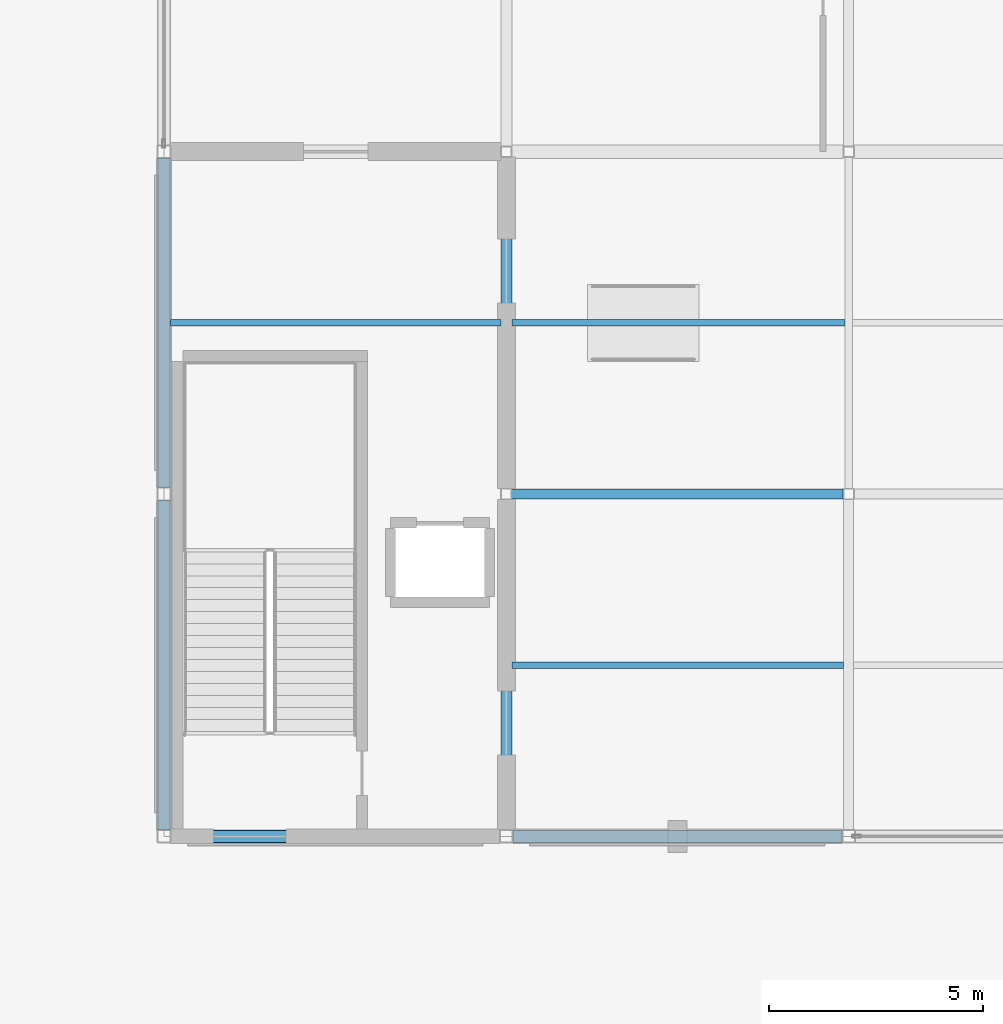
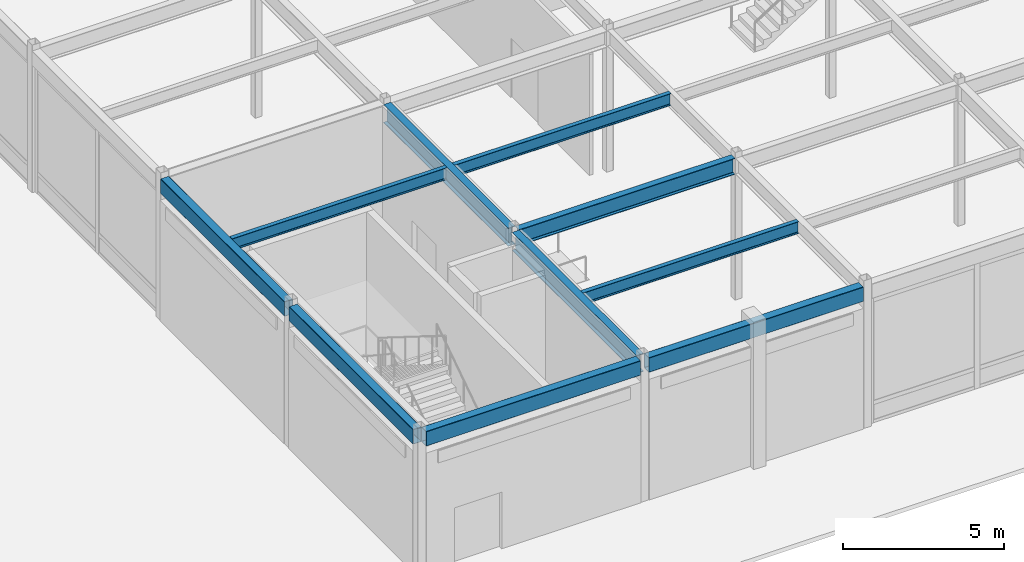
# One storey, part 32 of 128: 10 beams.
"""IFC4 building model written with IfcOpenShell, lengths in metres."""

from ifc_helpers import new_model, si_unit, direction, frame, origin, origin_2d, place, context, subcontext, project, spatial, hollow_rectangle, i_section, extrude, material, material_profile, profile_set, type_object, element, save


model = new_model("IFC4")

# Units and contexts
model_context = context("Model", 3, precision=1e-05, world=origin(), true_north=direction((0.0, 1.0)))
body_context = subcontext(model_context, "Body", "Model", "MODEL_VIEW")
ifc_project = project(units=[si_unit("LENGTHUNIT", "METRE"), si_unit("AREAUNIT", "SQUARE_METRE"), si_unit("VOLUMEUNIT", "CUBIC_METRE"), si_unit("PLANEANGLEUNIT", "RADIAN"), si_unit("MASSUNIT", "GRAM", prefix="KILO")], contexts=[model_context])

# Site, building, storey
site_placement = place(None, origin())
site = spatial("IfcSite", under=ifc_project, at=site_placement, CompositionType="ELEMENT")
building_placement = place(site_placement, origin())
building = spatial("IfcBuilding", under=site, at=building_placement, Name="Solmirada Galleria", CompositionType="ELEMENT")
storey_placement = place(building_placement, origin())
storey = spatial("IfcBuildingStorey", under=building, at=storey_placement, Name="L00", CompositionType="ELEMENT", Elevation=0.0)

# Beams
ifc_material_1 = material(Name="Steel S355 / ASTM A992 Grade 50", Category="steel")
ifc_material_profile_1 = material_profile(ifc_material_1, i_section(OverallWidth=0.22900390625, OverallDepth=0.612060546875, WebThickness=0.011962890625, FlangeThickness=0.01953125, FilletRadius=0.014892578125, at=origin_2d()), Name="W24X84")
ifc_profile_set_1 = profile_set([ifc_material_profile_1], Name="Steel S355 / ASTM A992 Grade 50")
beam_type_1 = type_object("IfcBeamType", Name="BM-GIRD-W24B", PredefinedType="BEAM", material=ifc_profile_set_1)
beam_1_placement = place(storey_placement, frame((48.126953125, 8.0, 5.073974609375), z_axis=(1.0, 0.0, 0.0), x_axis=(0.0, 1.0, 0.0)))
element("IfcBeam", 1, at=beam_1_placement, inside=storey, type_object=beam_type_1, Name="Primary beam L01 X(48..56, 8)", PredefinedType="BEAM", context=body_context, shape_type="SweptSolid", body=[
    extrude(i_section(OverallWidth=0.22900390625, OverallDepth=0.612060546875, WebThickness=0.011962890625, FlangeThickness=0.01953125, FilletRadius=0.014892578125, at=origin_2d()), origin(), (0.0, 0.0, 1.0), 7.74609375),
])
ifc_material_profile_2 = material_profile(ifc_material_1, i_section(OverallWidth=0.256103515625, OverallDepth=0.693115234375, WebThickness=0.014404296875, FlangeThickness=0.023681640625, FilletRadius=0.01806640625, at=origin_2d()), Name="W27X114")
ifc_profile_set_2 = profile_set([ifc_material_profile_2], Name="Steel S355 / ASTM A992 Grade 50")
beam_type_2 = type_object("IfcBeamType", Name="BM-GIRD-W27A", PredefinedType="BEAM", material=ifc_profile_set_2)
beam_2_placement = place(storey_placement, frame((48.0, 0.152587890625, 5.033447265625), z_axis=(0.0, 1.0, 0.0), x_axis=(-1.0, 0.0, 0.0)))
element("IfcBeam", 2, at=beam_2_placement, inside=storey, type_object=beam_type_2, Name="Primary girder L01 Y(48, 0..8)", PredefinedType="BEAM", context=body_context, shape_type="SweptSolid", body=[
    extrude(i_section(OverallWidth=0.256103515625, OverallDepth=0.693115234375, WebThickness=0.014404296875, FlangeThickness=0.023681640625, FilletRadius=0.01806640625, at=origin_2d()), origin(), (0.0, 0.0, 1.0), 7.720458984375),
])
beam_3_placement = place(storey_placement, frame((48.0, 8.126953125, 5.033447265625), z_axis=(0.0, 1.0, 0.0), x_axis=(-1.0, 0.0, 0.0)))
element("IfcBeam", 3, at=beam_3_placement, inside=storey, type_object=beam_type_2, Name="Primary girder L01 Y(48, 8..16)", PredefinedType="BEAM", context=body_context, shape_type="SweptSolid", body=[
    extrude(i_section(OverallWidth=0.256103515625, OverallDepth=0.693115234375, WebThickness=0.014404296875, FlangeThickness=0.023681640625, FilletRadius=0.01806640625, at=origin_2d()), origin(), (0.0, 0.0, 1.0), 7.74609375),
])
ifc_material_profile_3 = material_profile(ifc_material_1, i_section(OverallWidth=0.153076171875, OverallDepth=0.455078125, WebThickness=0.008056640625, FlangeThickness=0.01318359375, FilletRadius=0.011962890625, at=origin_2d()), Name="W18X40")
ifc_profile_set_3 = profile_set([ifc_material_profile_3], Name="Steel S355 / ASTM A992 Grade 50")
beam_type_3 = type_object("IfcBeamType", Name="BM-JST-W18A", PredefinedType="JOIST", material=ifc_profile_set_3)
beam_4_placement = place(storey_placement, frame((40.152587890625, 12.0, 5.152587890625), z_axis=(1.0, 0.0, 0.0), x_axis=(0.0, 1.0, 0.0)))
element("IfcBeam", 4, at=beam_4_placement, inside=storey, type_object=beam_type_3, Name="Composite floor joist L01 (40..48, 12.0)", PredefinedType="JOIST", context=body_context, shape_type="SweptSolid", body=[
    extrude(i_section(OverallWidth=0.153076171875, OverallDepth=0.455078125, WebThickness=0.008056640625, FlangeThickness=0.01318359375, FilletRadius=0.011962890625, at=origin_2d()), origin(), (0.0, 0.0, 1.0), 7.719482421875),
])
beam_5_placement = place(storey_placement, frame((48.1279296875, 4.0, 5.152587890625), z_axis=(1.0, 0.0, 0.0), x_axis=(0.0, 1.0, 0.0)))
element("IfcBeam", 5, at=beam_5_placement, inside=storey, type_object=beam_type_3, Name="Composite floor joist L01 (48..56, 4.0)", PredefinedType="JOIST", context=body_context, shape_type="SweptSolid", body=[
    extrude(i_section(OverallWidth=0.153076171875, OverallDepth=0.455078125, WebThickness=0.008056640625, FlangeThickness=0.01318359375, FilletRadius=0.011962890625, at=origin_2d()), origin(), (0.0, 0.0, 1.0), 7.758056640625),
])
beam_6_placement = place(storey_placement, frame((48.1279296875, 12.0, 5.152587890625), z_axis=(1.0, 0.0, 0.0), x_axis=(0.0, 1.0, 0.0)))
element("IfcBeam", 6, at=beam_6_placement, inside=storey, type_object=beam_type_3, Name="Composite floor joist L01 (48..56, 12.0)", PredefinedType="JOIST", context=body_context, shape_type="SweptSolid", body=[
    extrude(i_section(OverallWidth=0.153076171875, OverallDepth=0.455078125, WebThickness=0.008056640625, FlangeThickness=0.01318359375, FilletRadius=0.011962890625, at=origin_2d()), origin(), (0.0, 0.0, 1.0), 7.782958984375),
])
ifc_material_2 = material(Name="Steel S355 / ASTM A500 Grade C", Category="steel")
ifc_material_profile_4 = material_profile(ifc_material_2, hollow_rectangle(XDim=0.304931640625, YDim=0.55908203125, WallThickness=0.01171875, InnerFilletRadius=0.01171875, OuterFilletRadius=0.023681640625, at=origin_2d()), Name="HSS22X12X1/2")
ifc_profile_set_4 = profile_set([ifc_material_profile_4], Name="Steel S355 / ASTM A500 Grade C")
beam_type_4 = type_object("IfcBeamType", Name="BM-SPAND-W21", PredefinedType="SPANDREL", material=ifc_profile_set_4)
for number, where, z_axis, x_axis, name in (
    (7, (40.152587890625, 0.0, 5.1005859375), (1.0, 0.0, 0.0), (0.0, 1.0, 0.0), "Primary beam L01 X(40..48, 0)"),
    (8, (48.152587890625, 0.0, 5.1005859375), (1.0, 0.0, 0.0), (0.0, 1.0, 0.0), "Primary beam L01 X(48..56, 0)"),
    (9, (40.0, 0.152587890625, 5.1005859375), (0.0, 1.0, 0.0), (-1.0, 0.0, 0.0), "Primary girder L01 Y(40, 0..8)"),
    (10, (40.0, 8.152587890625, 5.1005859375), (0.0, 1.0, 0.0), (-1.0, 0.0, 0.0), "Primary girder L01 Y(40, 8..16)"),
):
    element("IfcBeam", number, at=place(storey_placement, frame(where, z_axis=z_axis, x_axis=x_axis)), inside=storey, type_object=beam_type_4, Name=name, PredefinedType="SPANDREL", context=body_context, shape_type="SweptSolid", body=[
        extrude(hollow_rectangle(XDim=0.304931640625, YDim=0.55908203125, WallThickness=0.01171875, InnerFilletRadius=0.01171875, OuterFilletRadius=0.023681640625, at=origin_2d()), origin(), (0.0, 0.0, 1.0), 7.69482421875),
    ])

save(model, "model.ifc")
